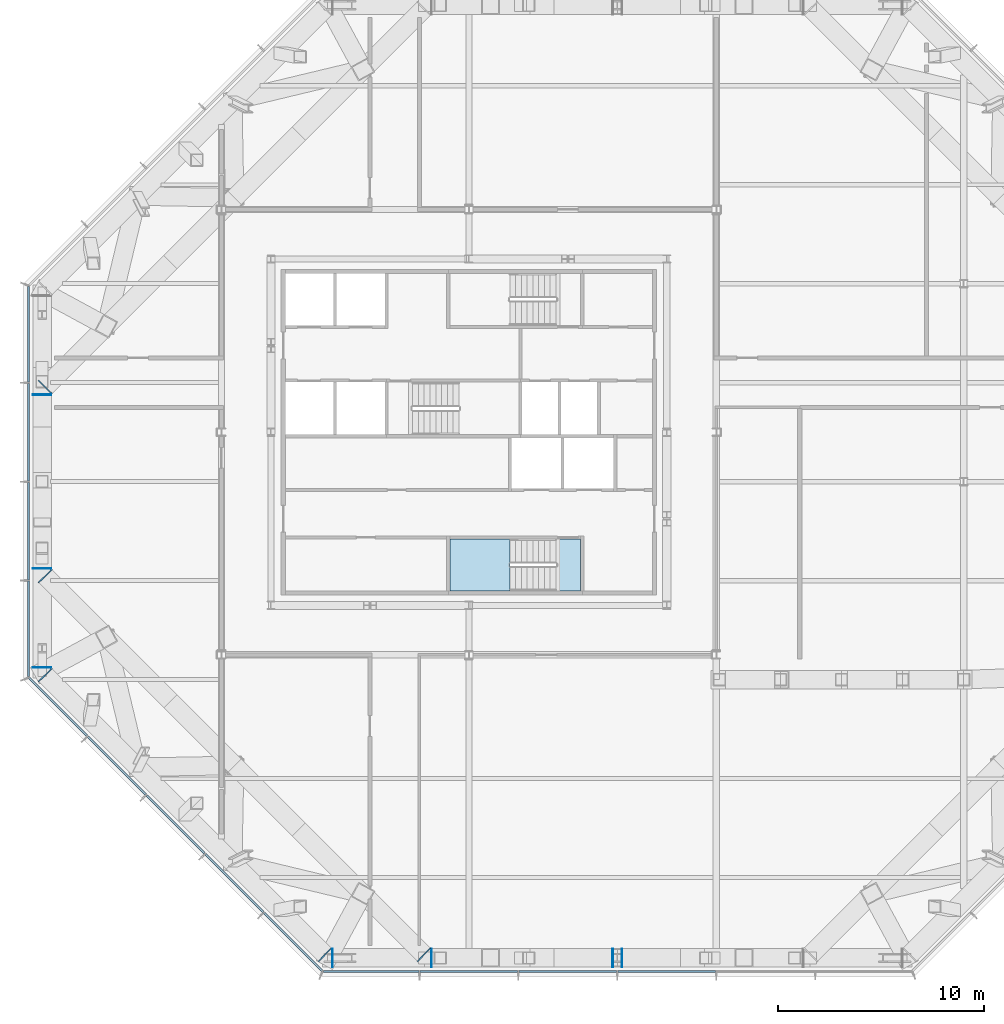
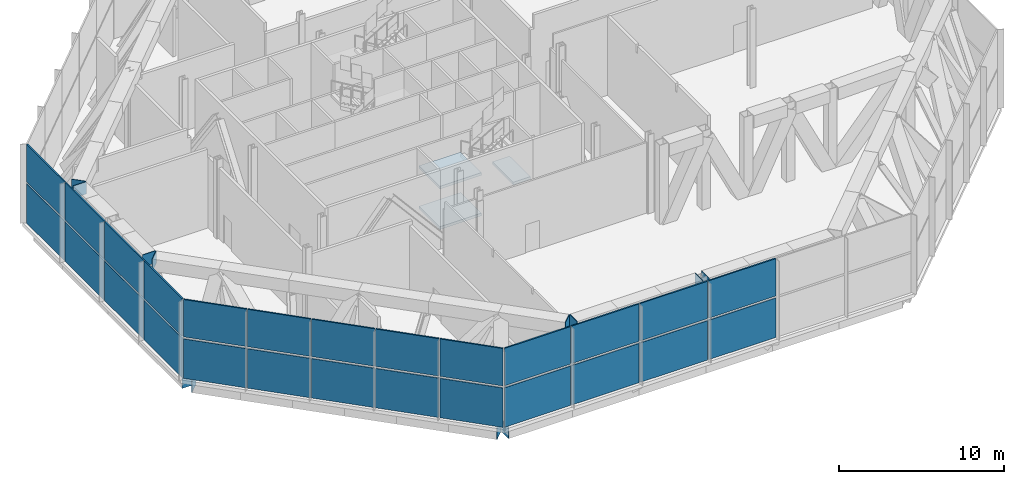
# One storey, part 9 of 18: 38 plates, 3 slabs, 4 elements without a shape of their own.
"""IFC4 building model written with IfcOpenShell, lengths in metres."""

from ifc_helpers import new_model, si_unit, direction, frame, origin, origin_2d, place, context, subcontext, project, spatial, polyline, rectangle, outline, extrude, material, layer, layer_set, material_profile, profile_set, type_object, element, aggregate, save


model = new_model("IFC4")

# Units and contexts
model_context = context("Model", 3, precision=1e-05, world=origin(), true_north=direction((0.0, 1.0)))
body_context = subcontext(model_context, "Body", "Model", "MODEL_VIEW")
ifc_project = project(units=[si_unit("LENGTHUNIT", "METRE"), si_unit("AREAUNIT", "SQUARE_METRE"), si_unit("VOLUMEUNIT", "CUBIC_METRE"), si_unit("PLANEANGLEUNIT", "RADIAN"), si_unit("MASSUNIT", "GRAM", prefix="KILO")], contexts=[model_context])

# Site, building, storey
site_placement = place(None, origin())
site = spatial("IfcSite", under=ifc_project, at=site_placement, CompositionType="ELEMENT")
building_placement = place(site_placement, origin())
building = spatial("IfcBuilding", under=site, at=building_placement, Name="Cairn Pilgrim Tower", CompositionType="ELEMENT")
storey_placement = place(building_placement, frame((0.0, 0.0, 204.60009765625)))
storey = spatial("IfcBuildingStorey", under=building, at=storey_placement, Name="L52", CompositionType="ELEMENT", Elevation=204.60009765625)

# Plates
ifc_material_1 = material(Name="Structural steel S460M", Category="steel")
ifc_material_profile = material_profile(ifc_material_1, rectangle(XDim=0.89990234375, YDim=0.89990234375, at=origin_2d()), Name="END PLATE BOX 900x900x50")
ifc_profile_set = profile_set([ifc_material_profile], Name="Structural steel S460M")
plate_type_1 = type_object("IfcPlateType", Name="END PLATE BOX 900x900x50", PredefinedType="SHEET", material=ifc_profile_set)
for number, where, z_axis, x_axis, name in (
    (1, (0.609130859375, -23.10009765625, -0.7001953125), (-1.0, 0.0, 0.0), (0.0, -1.0, 0.0), "EP-BT52-S-BC1-A"),
    (2, (5.4091796875, -23.10009765625, 5.39990234375), (-1.0, 0.0, 0.0), (0.0, -1.0, 0.0), "EP-BT52-S-TC1-A"),
):
    element("IfcPlate", number, at=place(storey_placement, frame(where, z_axis=z_axis, x_axis=x_axis)), inside=storey, type_object=plate_type_1, Name=name, PredefinedType="SHEET", context=body_context, shape_type="SweptSolid", body=[
        extrude(rectangle(XDim=0.89990234375, YDim=0.89990234375, at=origin_2d()), origin(), (0.0, 0.0, 1.0), 0.0400390625),
    ])
plate_1_placement = place(storey_placement, frame((14.152099609375, -23.10009765625, 5.39990234375), z_axis=(1.0, 0.0, 0.0), x_axis=(0.0, 1.0, 0.0)))
element("IfcPlate", 3, at=plate_1_placement, inside=storey, type_object=plate_type_1, Name="EP-BT52-S-TC3-B", PredefinedType="SHEET", context=body_context, shape_type="SweptSolid", body=[
    extrude(rectangle(XDim=0.89990234375, YDim=0.89990234375, at=origin_2d()), origin(), (0.0, 0.0, 1.0), 0.039794921875),
])
for number, where, z_axis, x_axis, name in (
    (4, (14.64794921875, -23.10009765625, 5.39990234375), (-1.0, 0.0, 0.0), (0.0, -1.0, 0.0), "EP-BT52-S-TC4-A"),
    (5, (-13.332763671875, 4.594482421875, 5.39990234375), (-0.707106781187, -0.707106781187, 0.0), (0.707106781187, -0.707106781187, 0.0), "EP-BT52-NW-TC6-B"),
):
    element("IfcPlate", number, at=place(storey_placement, frame(where, z_axis=z_axis, x_axis=x_axis)), inside=storey, type_object=plate_type_1, Name=name, PredefinedType="SHEET", context=body_context, shape_type="SweptSolid", body=[
        extrude(rectangle(XDim=0.89990234375, YDim=0.89990234375, at=origin_2d()), origin(), (0.0, 0.0, 1.0), 0.0400390625),
    ])
plate_2_placement = place(storey_placement, frame((-13.5, 4.19091796875, 5.39990234375), z_axis=(0.0, 1.0, 0.0), x_axis=(-1.0, 0.0, 0.0)))
element("IfcPlate", 6, at=plate_2_placement, inside=storey, type_object=plate_type_1, Name="EP-BT52-W-TC1-A", PredefinedType="SHEET", context=body_context, shape_type="SweptSolid", body=[
    extrude(rectangle(XDim=0.89990234375, YDim=0.89990234375, at=origin_2d()), origin(), (0.0, 0.0, 1.0), 0.039794921875),
])
plate_3_placement = place(storey_placement, frame((-13.5, -8.99072265625, -0.7001953125), z_axis=(0.0, -1.0, 0.0), x_axis=(1.0, 0.0, 0.0)))
element("IfcPlate", 7, at=plate_3_placement, inside=storey, type_object=plate_type_1, Name="EP-BT52-W-BC4-B", PredefinedType="SHEET", context=body_context, shape_type="SweptSolid", body=[
    extrude(rectangle(XDim=0.89990234375, YDim=0.89990234375, at=origin_2d()), origin(), (0.0, 0.0, 1.0), 0.0400390625),
])
for number, where, z_axis, x_axis, name in (
    (8, (-13.5, -4.19091796875, 5.39990234375), (0.0, -1.0, 0.0), (1.0, 0.0, 0.0), "EP-BT52-W-TC4-B"),
    (9, (-13.332763671875, -9.394287109375, -0.7001953125), (-0.710161195225, 0.704039115956, 0.0), (-0.704039115956, -0.710161195225, 0.0), "EP-BT52-SW-BC1-A"),
):
    element("IfcPlate", number, at=place(storey_placement, frame(where, z_axis=z_axis, x_axis=x_axis)), inside=storey, type_object=plate_type_1, Name=name, PredefinedType="SHEET", context=body_context, shape_type="SweptSolid", body=[
        extrude(rectangle(XDim=0.89990234375, YDim=0.89990234375, at=origin_2d()), origin(), (0.0, 0.0, 1.0), 0.039794921875),
    ])
for number, where, z_axis, x_axis, name in (
    (10, (-13.332763671875, -4.594482421875, 5.39990234375), (-0.707106781187, 0.707106781187, 0.0), (-0.707106781187, -0.707106781187, 0.0), "EP-BT52-SW-TC1-A"),
    (11, (0.20556640625, -22.932861328125, -0.7001953125), (0.707106781187, -0.707106781187, 0.0), (0.707106781187, 0.707106781187, 0.0), "EP-BT52-SW-BC6-B"),
    (12, (5.005615234375, -22.932861328125, 5.39990234375), (0.707106781187, -0.707106781187, 0.0), (0.707106781187, 0.707106781187, 0.0), "EP-BT52-SW-TC6-B"),
):
    element("IfcPlate", number, at=place(storey_placement, frame(where, z_axis=z_axis, x_axis=x_axis)), inside=storey, type_object=plate_type_1, Name=name, PredefinedType="SHEET", context=body_context, shape_type="SweptSolid", body=[
        extrude(rectangle(XDim=0.89990234375, YDim=0.89990234375, at=origin_2d()), origin(), (0.0, 0.0, 1.0), 0.0400390625),
    ])

# Curtain wall, plates
ifc_material_2 = material(Name="Aluminium alloy 6063-T6 bronze anodised with Bronze tinted laminated low-E glass 8+16+8.8", Category="aluminium")
curtain_wall_type = type_object("IfcCurtainWallType", Name="PLANT LOUVRE CURTAIN WALL", PredefinedType="NOTDEFINED", material=ifc_material_2)
curtain_wall_1_placement = place(storey_placement, origin())
curtain_wall_1 = element("IfcCurtainWall", 13, at=curtain_wall_1_placement, inside=storey, type_object=curtain_wall_type, Name="Plant Louvre Curtain Wall SW", PredefinedType="NOTDEFINED")
ifc_material_3 = material(Name="Bronze anodised aluminium louvre blades", Category="aluminium")
ifc_layer_1 = layer(ifc_material_3, 0.10009765625)
ifc_layer_set_1 = layer_set([ifc_layer_1], Name="LOUVRE PANEL 3962x2775")
plate_type_2 = type_object("IfcPlateType", Name="LOUVRE PANEL 3962x2775", PredefinedType="CURTAIN_PANEL", material=ifc_layer_set_1)
plate_4_placement = place(storey_placement, frame((-12.72119140625, -10.92529296875, 3.074951171875), z_axis=(0.0, 0.0, 1.0), x_axis=(0.707106781187, -0.707106781187, 0.0)))
plate_4 = element("IfcPlate", 14, at=plate_4_placement, type_object=plate_type_2, Name="Louvre Panel SW1-2", PredefinedType="CURTAIN_PANEL", context=body_context, shape_type="SweptSolid", body=[
    extrude(rectangle(XDim=3.96142578125, YDim=0.10009765625, at=origin_2d()), origin(), (0.0, 0.0, 1.0), 2.77490234375),
])
plate_5_placement = place(storey_placement, frame((-1.325439453125, -22.321044921875, 3.074951171875), z_axis=(0.0, 0.0, 1.0), x_axis=(0.707106781187, -0.707106781187, 0.0)))
plate_5 = element("IfcPlate", 15, at=plate_5_placement, type_object=plate_type_2, Name="Louvre Panel SW5-2", PredefinedType="CURTAIN_PANEL", context=body_context, shape_type="SweptSolid", body=[
    extrude(rectangle(XDim=3.96142578125, YDim=0.10009765625, at=origin_2d()), origin(), (0.0, 0.0, 1.0), 2.77490234375),
])
ifc_layer_2 = layer(ifc_material_3, 0.10009765625)
ifc_layer_set_2 = layer_set([ifc_layer_2], Name="LOUVRE PANEL 3962x2925")
plate_type_3 = type_object("IfcPlateType", Name="LOUVRE PANEL 3962x2925", PredefinedType="CURTAIN_PANEL", material=ifc_layer_set_2)
plate_6_placement = place(storey_placement, frame((-12.72119140625, -10.92529296875, 0.0), z_axis=(0.0, 0.0, 1.0), x_axis=(0.707106781187, -0.707106781187, 0.0)))
plate_6 = element("IfcPlate", 16, at=plate_6_placement, type_object=plate_type_3, Name="Louvre Panel SW1-1", PredefinedType="CURTAIN_PANEL", context=body_context, shape_type="SweptSolid", body=[
    extrude(rectangle(XDim=3.96142578125, YDim=0.10009765625, at=origin_2d()), origin(), (0.0, 0.0, 1.0), 2.925048828125),
])
plate_7_placement = place(storey_placement, frame((-1.325439453125, -22.321044921875, 0.0), z_axis=(0.0, 0.0, 1.0), x_axis=(0.707106781187, -0.707106781187, 0.0)))
plate_7 = element("IfcPlate", 17, at=plate_7_placement, type_object=plate_type_3, Name="Louvre Panel SW5-1", PredefinedType="CURTAIN_PANEL", context=body_context, shape_type="SweptSolid", body=[
    extrude(rectangle(XDim=3.96142578125, YDim=0.10009765625, at=origin_2d()), origin(), (0.0, 0.0, 1.0), 2.925048828125),
])
ifc_layer_3 = layer(ifc_material_3, 0.10009765625)
ifc_layer_set_3 = layer_set([ifc_layer_3], Name="LOUVRE PANEL 3972x2775")
plate_type_4 = type_object("IfcPlateType", Name="LOUVRE PANEL 3972x2775", PredefinedType="CURTAIN_PANEL", material=ifc_layer_set_3)
plate_8_placement = place(storey_placement, frame((-9.8740234375, -13.7724609375, 3.074951171875), z_axis=(0.0, 0.0, 1.0), x_axis=(0.707106781187, -0.707106781187, 0.0)))
plate_8 = element("IfcPlate", 18, at=plate_8_placement, type_object=plate_type_4, Name="Louvre Panel SW2-2", PredefinedType="CURTAIN_PANEL", context=body_context, shape_type="SweptSolid", body=[
    extrude(rectangle(XDim=3.971435546875, YDim=0.10009765625, at=origin_2d()), origin(), (0.0, 0.0, 1.0), 2.77490234375),
])
plate_9_placement = place(storey_placement, frame((-7.023193359375, -16.623291015625, 3.074951171875), z_axis=(0.0, 0.0, 1.0), x_axis=(0.707106781187, -0.707106781187, 0.0)))
plate_9 = element("IfcPlate", 19, at=plate_9_placement, type_object=plate_type_4, Name="Louvre Panel SW3-2", PredefinedType="CURTAIN_PANEL", context=body_context, shape_type="SweptSolid", body=[
    extrude(rectangle(XDim=3.971435546875, YDim=0.10009765625, at=origin_2d()), origin(), (0.0, 0.0, 1.0), 2.77490234375),
])
plate_10_placement = place(storey_placement, frame((-4.172607421875, -19.473876953125, 3.074951171875), z_axis=(0.0, 0.0, 1.0), x_axis=(0.707106781187, -0.707106781187, 0.0)))
plate_10 = element("IfcPlate", 20, at=plate_10_placement, type_object=plate_type_4, Name="Louvre Panel SW4-2", PredefinedType="CURTAIN_PANEL", context=body_context, shape_type="SweptSolid", body=[
    extrude(rectangle(XDim=3.971435546875, YDim=0.10009765625, at=origin_2d()), origin(), (0.0, 0.0, 1.0), 2.77490234375),
])
ifc_layer_4 = layer(ifc_material_3, 0.10009765625)
ifc_layer_set_4 = layer_set([ifc_layer_4], Name="LOUVRE PANEL 3972x2925")
plate_type_5 = type_object("IfcPlateType", Name="LOUVRE PANEL 3972x2925", PredefinedType="CURTAIN_PANEL", material=ifc_layer_set_4)
plate_11_placement = place(storey_placement, frame((-9.8740234375, -13.7724609375, 0.0), z_axis=(0.0, 0.0, 1.0), x_axis=(0.707106781187, -0.707106781187, 0.0)))
plate_11 = element("IfcPlate", 21, at=plate_11_placement, type_object=plate_type_5, Name="Louvre Panel SW2-1", PredefinedType="CURTAIN_PANEL", context=body_context, shape_type="SweptSolid", body=[
    extrude(rectangle(XDim=3.971435546875, YDim=0.10009765625, at=origin_2d()), origin(), (0.0, 0.0, 1.0), 2.925048828125),
])
plate_12_placement = place(storey_placement, frame((-7.023193359375, -16.623291015625, 0.0), z_axis=(0.0, 0.0, 1.0), x_axis=(0.707106781187, -0.707106781187, 0.0)))
plate_12 = element("IfcPlate", 22, at=plate_12_placement, type_object=plate_type_5, Name="Louvre Panel SW3-1", PredefinedType="CURTAIN_PANEL", context=body_context, shape_type="SweptSolid", body=[
    extrude(rectangle(XDim=3.971435546875, YDim=0.10009765625, at=origin_2d()), origin(), (0.0, 0.0, 1.0), 2.925048828125),
])
plate_13_placement = place(storey_placement, frame((-4.172607421875, -19.473876953125, 0.0), z_axis=(0.0, 0.0, 1.0), x_axis=(0.707106781187, -0.707106781187, 0.0)))
plate_13 = element("IfcPlate", 23, at=plate_13_placement, type_object=plate_type_5, Name="Louvre Panel SW4-1", PredefinedType="CURTAIN_PANEL", context=body_context, shape_type="SweptSolid", body=[
    extrude(rectangle(XDim=3.971435546875, YDim=0.10009765625, at=origin_2d()), origin(), (0.0, 0.0, 1.0), 2.925048828125),
])
aggregate(curtain_wall_1, [plate_6, plate_4, plate_11, plate_8, plate_12, plate_9, plate_13, plate_10, plate_7, plate_5])

# Curtain wall, plate
curtain_wall_2_placement = place(storey_placement, origin())
curtain_wall_2 = element("IfcCurtainWall", 24, at=curtain_wall_2_placement, inside=storey, type_object=curtain_wall_type, Name="Plant Louvre Curtain Wall S", PredefinedType="NOTDEFINED")
ifc_layer_5 = layer(ifc_material_3, 0.10009765625)
ifc_layer_set_5 = layer_set([ifc_layer_5], Name="LOUVRE PANEL 4626x2775")
plate_type_6 = type_object("IfcPlateType", Name="LOUVRE PANEL 4626x2775", PredefinedType="CURTAIN_PANEL", material=ifc_layer_set_5)
plate_14_placement = place(storey_placement, frame((2.456787109375, -23.75, 3.074951171875), z_axis=(0.0, 0.0, 1.0), x_axis=(1.0, 0.0, 0.0)))
plate_14 = element("IfcPlate", 25, at=plate_14_placement, type_object=plate_type_6, Name="Louvre Panel S1-2", PredefinedType="CURTAIN_PANEL", context=body_context, shape_type="SweptSolid", body=[
    extrude(rectangle(XDim=4.62646484375, YDim=0.10009765625, at=origin_2d()), origin(), (0.0, 0.0, 1.0), 2.77490234375),
])

# Curtain wall, plates
curtain_wall_3_placement = place(storey_placement, origin())
curtain_wall_3 = element("IfcCurtainWall", 26, at=curtain_wall_3_placement, inside=storey, type_object=curtain_wall_type, Name="Plant Louvre Curtain Wall W", PredefinedType="NOTDEFINED")
plate_15_placement = place(storey_placement, frame((-14.14990234375, 7.143310546875, 3.074951171875), z_axis=(0.0, 0.0, 1.0), x_axis=(0.0, -1.0, 0.0)))
plate_15 = element("IfcPlate", 27, at=plate_15_placement, type_object=plate_type_6, Name="Louvre Panel W1-2", PredefinedType="CURTAIN_PANEL", context=body_context, shape_type="SweptSolid", body=[
    extrude(rectangle(XDim=4.62646484375, YDim=0.10009765625, at=origin_2d()), origin(), (0.0, 0.0, 1.0), 2.77490234375),
])
plate_16_placement = place(storey_placement, frame((-14.14990234375, -7.143310546875, 3.074951171875), z_axis=(0.0, 0.0, 1.0), x_axis=(0.0, -1.0, 0.0)))
plate_16 = element("IfcPlate", 28, at=plate_16_placement, type_object=plate_type_6, Name="Louvre Panel W4-2", PredefinedType="CURTAIN_PANEL", context=body_context, shape_type="SweptSolid", body=[
    extrude(rectangle(XDim=4.62646484375, YDim=0.10009765625, at=origin_2d()), origin(), (0.0, 0.0, 1.0), 2.77490234375),
])

# Plate
ifc_layer_6 = layer(ifc_material_3, 0.10009765625)
ifc_layer_set_6 = layer_set([ifc_layer_6], Name="LOUVRE PANEL 4626x2925")
plate_type_7 = type_object("IfcPlateType", Name="LOUVRE PANEL 4626x2925", PredefinedType="CURTAIN_PANEL", material=ifc_layer_set_6)
plate_17_placement = place(storey_placement, frame((2.456787109375, -23.75, 0.0), z_axis=(0.0, 0.0, 1.0), x_axis=(1.0, 0.0, 0.0)))
plate_17 = element("IfcPlate", 29, at=plate_17_placement, type_object=plate_type_7, Name="Louvre Panel S1-1", PredefinedType="CURTAIN_PANEL", context=body_context, shape_type="SweptSolid", body=[
    extrude(rectangle(XDim=4.62646484375, YDim=0.10009765625, at=origin_2d()), origin(), (0.0, 0.0, 1.0), 2.925048828125),
])

plate_18_placement = place(storey_placement, frame((-14.14990234375, 7.143310546875, 0.0), z_axis=(0.0, 0.0, 1.0), x_axis=(0.0, -1.0, 0.0)))
plate_18 = element("IfcPlate", 30, at=plate_18_placement, type_object=plate_type_7, Name="Louvre Panel W1-1", PredefinedType="CURTAIN_PANEL", context=body_context, shape_type="SweptSolid", body=[
    extrude(rectangle(XDim=4.62646484375, YDim=0.10009765625, at=origin_2d()), origin(), (0.0, 0.0, 1.0), 2.925048828125),
])

plate_19_placement = place(storey_placement, frame((-14.14990234375, -7.143310546875, 0.0), z_axis=(0.0, 0.0, 1.0), x_axis=(0.0, -1.0, 0.0)))
plate_19 = element("IfcPlate", 31, at=plate_19_placement, type_object=plate_type_7, Name="Louvre Panel W4-1", PredefinedType="CURTAIN_PANEL", context=body_context, shape_type="SweptSolid", body=[
    extrude(rectangle(XDim=4.62646484375, YDim=0.10009765625, at=origin_2d()), origin(), (0.0, 0.0, 1.0), 2.925048828125),
])

ifc_layer_7 = layer(ifc_material_3, 0.10009765625)
ifc_layer_set_7 = layer_set([ifc_layer_7], Name="LOUVRE PANEL 4740x2775")
plate_type_8 = type_object("IfcPlateType", Name="LOUVRE PANEL 4740x2775", PredefinedType="CURTAIN_PANEL", material=ifc_layer_set_7)
plate_20_placement = place(storey_placement, frame((7.199951171875, -23.75, 3.074951171875), z_axis=(0.0, 0.0, 1.0), x_axis=(1.0, 0.0, 0.0)))
plate_20 = element("IfcPlate", 32, at=plate_20_placement, type_object=plate_type_8, Name="Louvre Panel S2-2", PredefinedType="CURTAIN_PANEL", context=body_context, shape_type="SweptSolid", body=[
    extrude(rectangle(XDim=4.739990234375, YDim=0.10009765625, at=origin_2d()), origin(), (0.0, 0.0, 1.0), 2.77490234375),
])

plate_21_placement = place(storey_placement, frame((12.0, -23.75, 3.074951171875), z_axis=(0.0, 0.0, 1.0), x_axis=(1.0, 0.0, 0.0)))
plate_21 = element("IfcPlate", 33, at=plate_21_placement, type_object=plate_type_8, Name="Louvre Panel S3-2", PredefinedType="CURTAIN_PANEL", context=body_context, shape_type="SweptSolid", body=[
    extrude(rectangle(XDim=4.739990234375, YDim=0.10009765625, at=origin_2d()), origin(), (0.0, 0.0, 1.0), 2.77490234375),
])

plate_22_placement = place(storey_placement, frame((16.800048828125, -23.75, 3.074951171875), z_axis=(0.0, 0.0, 1.0), x_axis=(1.0, 0.0, 0.0)))
plate_22 = element("IfcPlate", 34, at=plate_22_placement, type_object=plate_type_8, Name="Louvre Panel S4-2", PredefinedType="CURTAIN_PANEL", context=body_context, shape_type="SweptSolid", body=[
    extrude(rectangle(XDim=4.739990234375, YDim=0.10009765625, at=origin_2d()), origin(), (0.0, 0.0, 1.0), 2.77490234375),
])

plate_23_placement = place(storey_placement, frame((-14.14990234375, 2.39990234375, 3.074951171875), z_axis=(0.0, 0.0, 1.0), x_axis=(0.0, -1.0, 0.0)))
plate_23 = element("IfcPlate", 35, at=plate_23_placement, type_object=plate_type_8, Name="Louvre Panel W2-2", PredefinedType="CURTAIN_PANEL", context=body_context, shape_type="SweptSolid", body=[
    extrude(rectangle(XDim=4.739990234375, YDim=0.10009765625, at=origin_2d()), origin(), (0.0, 0.0, 1.0), 2.77490234375),
])

plate_24_placement = place(storey_placement, frame((-14.14990234375, -2.39990234375, 3.074951171875), z_axis=(0.0, 0.0, 1.0), x_axis=(0.0, -1.0, 0.0)))
plate_24 = element("IfcPlate", 36, at=plate_24_placement, type_object=plate_type_8, Name="Louvre Panel W3-2", PredefinedType="CURTAIN_PANEL", context=body_context, shape_type="SweptSolid", body=[
    extrude(rectangle(XDim=4.739990234375, YDim=0.10009765625, at=origin_2d()), origin(), (0.0, 0.0, 1.0), 2.77490234375),
])

ifc_layer_8 = layer(ifc_material_3, 0.10009765625)
ifc_layer_set_8 = layer_set([ifc_layer_8], Name="LOUVRE PANEL 4740x2925")
plate_type_9 = type_object("IfcPlateType", Name="LOUVRE PANEL 4740x2925", PredefinedType="CURTAIN_PANEL", material=ifc_layer_set_8)
plate_25_placement = place(storey_placement, frame((7.199951171875, -23.75, 0.0), z_axis=(0.0, 0.0, 1.0), x_axis=(1.0, 0.0, 0.0)))
plate_25 = element("IfcPlate", 37, at=plate_25_placement, type_object=plate_type_9, Name="Louvre Panel S2-1", PredefinedType="CURTAIN_PANEL", context=body_context, shape_type="SweptSolid", body=[
    extrude(rectangle(XDim=4.739990234375, YDim=0.10009765625, at=origin_2d()), origin(), (0.0, 0.0, 1.0), 2.925048828125),
])

plate_26_placement = place(storey_placement, frame((12.0, -23.75, 0.0), z_axis=(0.0, 0.0, 1.0), x_axis=(1.0, 0.0, 0.0)))
plate_26 = element("IfcPlate", 38, at=plate_26_placement, type_object=plate_type_9, Name="Louvre Panel S3-1", PredefinedType="CURTAIN_PANEL", context=body_context, shape_type="SweptSolid", body=[
    extrude(rectangle(XDim=4.739990234375, YDim=0.10009765625, at=origin_2d()), origin(), (0.0, 0.0, 1.0), 2.925048828125),
])

plate_27_placement = place(storey_placement, frame((16.800048828125, -23.75, 0.0), z_axis=(0.0, 0.0, 1.0), x_axis=(1.0, 0.0, 0.0)))
plate_27 = element("IfcPlate", 39, at=plate_27_placement, type_object=plate_type_9, Name="Louvre Panel S4-1", PredefinedType="CURTAIN_PANEL", context=body_context, shape_type="SweptSolid", body=[
    extrude(rectangle(XDim=4.739990234375, YDim=0.10009765625, at=origin_2d()), origin(), (0.0, 0.0, 1.0), 2.925048828125),
])

aggregate(curtain_wall_2, [plate_17, plate_14, plate_25, plate_20, plate_26, plate_21, plate_27, plate_22])

plate_28_placement = place(storey_placement, frame((-14.14990234375, 2.39990234375, 0.0), z_axis=(0.0, 0.0, 1.0), x_axis=(0.0, -1.0, 0.0)))
plate_28 = element("IfcPlate", 40, at=plate_28_placement, type_object=plate_type_9, Name="Louvre Panel W2-1", PredefinedType="CURTAIN_PANEL", context=body_context, shape_type="SweptSolid", body=[
    extrude(rectangle(XDim=4.739990234375, YDim=0.10009765625, at=origin_2d()), origin(), (0.0, 0.0, 1.0), 2.925048828125),
])

plate_29_placement = place(storey_placement, frame((-14.14990234375, -2.39990234375, 0.0), z_axis=(0.0, 0.0, 1.0), x_axis=(0.0, -1.0, 0.0)))
plate_29 = element("IfcPlate", 41, at=plate_29_placement, type_object=plate_type_9, Name="Louvre Panel W3-1", PredefinedType="CURTAIN_PANEL", context=body_context, shape_type="SweptSolid", body=[
    extrude(rectangle(XDim=4.739990234375, YDim=0.10009765625, at=origin_2d()), origin(), (0.0, 0.0, 1.0), 2.925048828125),
])

aggregate(curtain_wall_3, [plate_18, plate_15, plate_28, plate_23, plate_29, plate_24, plate_19, plate_16])

# Stair, slabs
ifc_material_4 = material(Name="Concrete C32/40", Category="concrete")
stair_type = type_object("IfcStairType", Name="EXIT STAIR 1200", PredefinedType="HALF_TURN_STAIR", material=ifc_material_4)
stair_placement = place(storey_placement, origin())
stair = element("IfcStair", 42, at=stair_placement, inside=storey, type_object=stair_type, Name="L52 Exit Stair A", PredefinedType="HALF_TURN_STAIR")
ifc_layer_9 = layer(ifc_material_4, 0.199951171875)
ifc_layer_set_9 = layer_set([ifc_layer_9], Name="STAIR LANDING 200")
slab_type = type_object("IfcSlabType", Name="STAIR LANDING 200", PredefinedType="LANDING", material=ifc_layer_set_9)
slab_1_placement = place(storey_placement, frame((0.0, 0.0, 1.2998046875)))
slab_1 = element("IfcSlab", 43, at=slab_1_placement, type_object=slab_type, Name="ST-A landing 1", PredefinedType="LANDING", context=body_context, shape_type="SweptSolid", body=[
    extrude(outline(polyline([(9.18505859375, -2.77490234375), (6.27490234375, -2.77490234375), (6.27490234375, -5.300048828125), (9.18505859375, -5.300048828125), (9.18505859375, -2.77490234375)])), origin(), (0.0, 0.0, 1.0), 0.2001953125),
])
slab_2_placement = place(storey_placement, frame((0.0, 0.0, 2.7998046875)))
slab_2 = element("IfcSlab", 44, at=slab_2_placement, type_object=slab_type, Name="ST-A landing 2", PredefinedType="LANDING", context=body_context, shape_type="SweptSolid", body=[
    extrude(outline(polyline([(12.625, -2.77490234375), (11.425048828125, -2.77490234375), (11.425048828125, -5.300048828125), (12.625, -5.300048828125), (12.625, -2.77490234375)])), origin(), (0.0, 0.0, 1.0), 0.2001953125),
])
slab_3_placement = place(storey_placement, frame((0.0, 0.0, 4.2998046875)))
slab_3 = element("IfcSlab", 45, at=slab_3_placement, type_object=slab_type, Name="ST-A landing 3", PredefinedType="LANDING", context=body_context, shape_type="SweptSolid", body=[
    extrude(outline(polyline([(9.18505859375, -2.77490234375), (6.27490234375, -2.77490234375), (6.27490234375, -5.300048828125), (9.18505859375, -5.300048828125), (9.18505859375, -2.77490234375)])), origin(), (0.0, 0.0, 1.0), 0.2001953125),
])
aggregate(stair, [slab_1, slab_2, slab_3])

save(model, "model.ifc")
